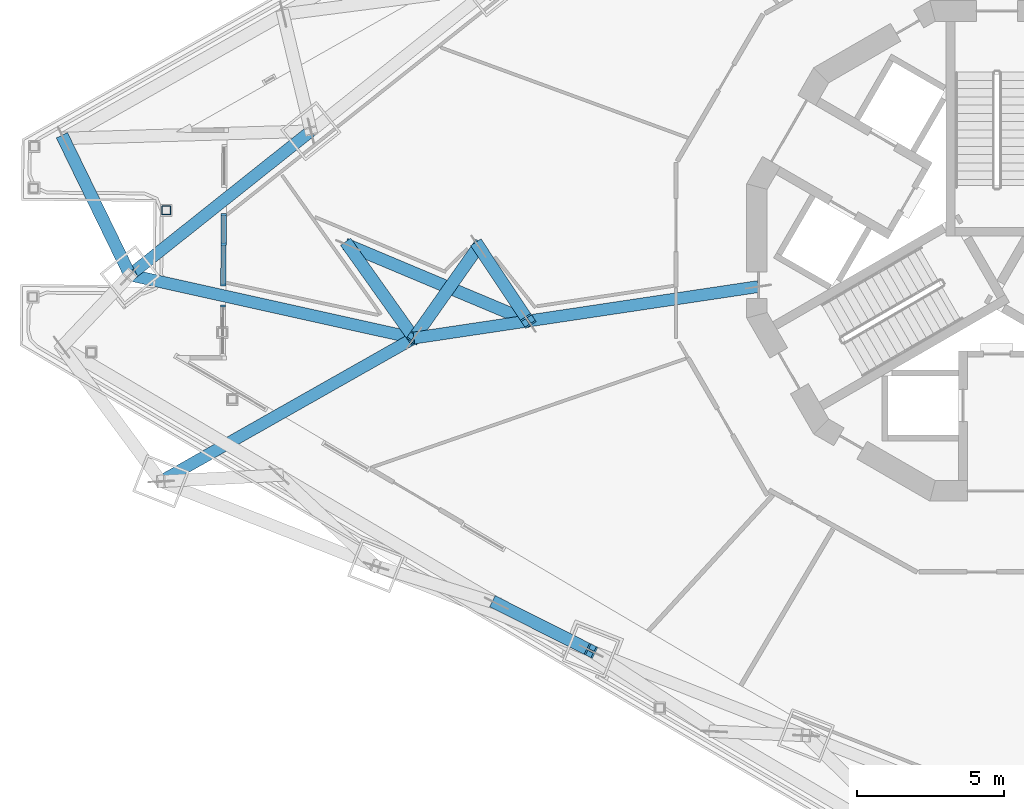
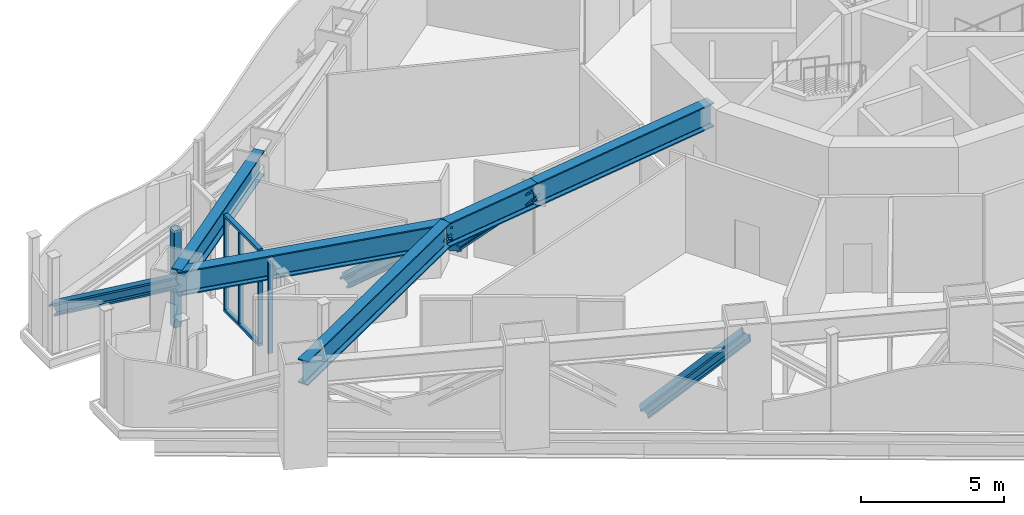
# One storey, part 2 of 27: 14 members, 4 beams, 2 elements without a shape of their own.
"""IFC4 building model written with IfcOpenShell, lengths in metres."""

from ifc_helpers import new_model, si_unit, direction, frame, origin, origin_2d, place, context, subcontext, project, spatial, rectangle, hollow_rectangle, i_section, extrude, material, layer, layer_set, material_profile, profile_set, type_object, element, aggregate, save


model = new_model("IFC4")

# Units and contexts
model_context = context("Model", 3, precision=1e-05, world=origin(), true_north=direction((0.0, 1.0)))
body_context = subcontext(model_context, "Body", "Model", "MODEL_VIEW")
ifc_project = project(units=[si_unit("LENGTHUNIT", "METRE"), si_unit("AREAUNIT", "SQUARE_METRE"), si_unit("VOLUMEUNIT", "CUBIC_METRE"), si_unit("PLANEANGLEUNIT", "RADIAN"), si_unit("MASSUNIT", "GRAM", prefix="KILO")], contexts=[model_context])

# Site, building, storey
site_placement = place(None, origin())
site = spatial("IfcSite", under=ifc_project, at=site_placement, CompositionType="ELEMENT")
building_placement = place(site_placement, origin())
building = spatial("IfcBuilding", under=site, at=building_placement, Name="Trine Commons Tower", CompositionType="ELEMENT")
storey_placement = place(building_placement, frame((0.0, 0.0, 193.5)))
storey = spatial("IfcBuildingStorey", under=building, at=storey_placement, Name="L50", CompositionType="ELEMENT", Elevation=193.5)

# Curtain wall, member
ifc_material_1 = material(Name="Sky lounge glazing: anodised aluminium frame with low-emissivity double glazed unit, solar control", Category="aluminium")
ifc_layer = layer(ifc_material_1, 0.179931640625)
ifc_layer_set = layer_set([ifc_layer], Name="Sky lounge glazing: anodised aluminium frame with low-emissivity double glazed unit, solar control")
curtain_wall_type = type_object("IfcCurtainWallType", Name="Sky lounge glazing curtain wall CW5", PredefinedType="NOTDEFINED", material=ifc_layer_set)
curtain_wall_1_placement = place(storey_placement, origin())
curtain_wall_1 = element("IfcCurtainWall", 1, at=curtain_wall_1_placement, inside=storey, type_object=curtain_wall_type, Name="Sky lounge glazing L50 P1.1", PredefinedType="NOTDEFINED")
ifc_material_2 = material(Name="Anodised aluminium, bronze finish", Category="aluminium")
ifc_material_profile_1 = material_profile(ifc_material_2, rectangle(XDim=0.179931640625, YDim=0.074951171875, at=origin_2d()), Name="Mullion 75x180")
ifc_profile_set_1 = profile_set([ifc_material_profile_1], Name="Anodised aluminium, bronze finish")
member_type_1 = type_object("IfcMemberType", Name="Mullion 75x180, Anodised aluminium, bronze finish", PredefinedType="MULLION", material=ifc_profile_set_1)
member_1_placement = place(storey_placement, frame((53.717529296875, 60.62548828125, 0.110107421875), z_axis=(0.0, 0.0, 1.0), x_axis=(-0.999961923064, 0.008726535498, 0.0)))
member_1 = element("IfcMember", 2, at=member_1_placement, type_object=member_type_1, Name="CW5 mullion 2.1", PredefinedType="MULLION", context=body_context, shape_type="SweptSolid", body=[
    extrude(rectangle(XDim=0.179931640625, YDim=0.074951171875, at=origin_2d()), origin(), (0.0, 0.0, 1.0), 3.929931640625),
])
aggregate(curtain_wall_1, [member_1])

# Curtain wall, members
curtain_wall_2_placement = place(storey_placement, origin())
curtain_wall_2 = element("IfcCurtainWall", 3, at=curtain_wall_2_placement, inside=storey, type_object=curtain_wall_type, Name="Sky lounge glazing L50 P1.2", PredefinedType="NOTDEFINED")
member_2_placement = place(storey_placement, frame((53.723876953125, 61.33984375, 0.110107421875), z_axis=(0.0, 0.0, 1.0), x_axis=(-0.999961923064, 0.008726535498, 0.0)))
member_2 = element("IfcMember", 4, at=member_2_placement, type_object=member_type_1, Name="CW5 mullion 1.1", PredefinedType="MULLION", context=body_context, shape_type="SweptSolid", body=[
    extrude(rectangle(XDim=0.179931640625, YDim=0.074951171875, at=origin_2d()), origin(), (0.0, 0.0, 1.0), 3.929931640625),
])
member_3_placement = place(storey_placement, frame((53.73583984375, 62.729248046875, 0.110107421875), z_axis=(0.0, 0.0, 1.0), x_axis=(-0.999961923064, 0.008726535498, 0.0)))
member_3 = element("IfcMember", 5, at=member_3_placement, type_object=member_type_1, Name="CW5 mullion 2.1", PredefinedType="MULLION", context=body_context, shape_type="SweptSolid", body=[
    extrude(rectangle(XDim=0.179931640625, YDim=0.074951171875, at=origin_2d()), origin(), (0.0, 0.0, 1.0), 3.929931640625),
])
member_4_placement = place(storey_placement, frame((53.74462890625, 63.73681640625, 0.110107421875), z_axis=(0.0, 0.0, 1.0), x_axis=(-0.999961923064, 0.008726535498, 0.0)))
member_4 = element("IfcMember", 6, at=member_4_placement, type_object=member_type_1, Name="CW5 mullion 3.1", PredefinedType="MULLION", context=body_context, shape_type="SweptSolid", body=[
    extrude(rectangle(XDim=0.179931640625, YDim=0.074951171875, at=origin_2d()), origin(), (0.0, 0.0, 1.0), 3.929931640625),
])

# Beams
ifc_material_3 = material(Name="Structural steel ASTM A992 Gr50", Category="steel")
ifc_material_profile_2 = material_profile(ifc_material_3, i_section(OverallWidth=0.406494140625, OverallDepth=1.02880859375, WebThickness=0.0283203125, FlangeThickness=0.051025390625, FilletRadius=0.02978515625, at=origin_2d()), Name="W40X362")
ifc_profile_set_2 = profile_set([ifc_material_profile_2], Name="Structural steel ASTM A992 Gr50")
beam_type = type_object("IfcBeamType", Name="Steel beam W40X362, ASTM A992 Gr50", PredefinedType="BEAM", material=ifc_profile_set_2)
beam_1_placement = place(storey_placement, frame((51.603515625, 54.67236328125, 3.635498046875), z_axis=(0.870179701496, 0.492734499609, 0.0), x_axis=(-0.492734499609, 0.870179701496, 0.0)))
element("IfcBeam", 7, at=beam_1_placement, inside=storey, type_object=beam_type, Name="Transfer truss girder T5-UV-01", PredefinedType="BEAM", context=body_context, shape_type="SweptSolid", body=[
    extrude(i_section(OverallWidth=0.406494140625, OverallDepth=1.02880859375, WebThickness=0.0283203125, FlangeThickness=0.051025390625, FilletRadius=0.02978515625, at=origin_2d()), origin(), (0.0, 0.0, 1.0), 9.880859375),
])
beam_2_placement = place(storey_placement, frame((50.5556640625, 61.683349609375, 3.635498046875), z_axis=(0.976213214501, -0.216812729872, 0.0), x_axis=(0.216812729872, 0.976213214501, 0.0)))
element("IfcBeam", 8, at=beam_2_placement, inside=storey, type_object=beam_type, Name="Transfer truss girder T5-UV-02", PredefinedType="BEAM", context=body_context, shape_type="SweptSolid", body=[
    extrude(i_section(OverallWidth=0.406494140625, OverallDepth=1.02880859375, WebThickness=0.0283203125, FlangeThickness=0.051025390625, FilletRadius=0.02978515625, at=origin_2d()), origin(), (0.0, 0.0, 1.0), 9.881103515625),
])
beam_3_placement = place(storey_placement, frame((71.8955078125, 61.288818359375, 3.635498046875), z_axis=(-0.98901397248, -0.14782206276, 0.0), x_axis=(0.14782206276, -0.98901397248, 0.0)))
element("IfcBeam", 9, at=beam_3_placement, inside=storey, type_object=beam_type, Name="Transfer truss girder T5-UR-05", PredefinedType="BEAM", context=body_context, shape_type="SweptSolid", body=[
    extrude(i_section(OverallWidth=0.406494140625, OverallDepth=1.02880859375, WebThickness=0.0283203125, FlangeThickness=0.051025390625, FilletRadius=0.02978515625, at=origin_2d()), origin(), (0.0, 0.0, 1.0), 7.8994140625),
])
beam_4_placement = place(storey_placement, frame((64.082763671875, 60.12109375, 3.635498046875), z_axis=(-0.9890142496, -0.147820208659, 0.0), x_axis=(0.147820208659, -0.9890142496, 0.0)))
element("IfcBeam", 10, at=beam_4_placement, inside=storey, type_object=beam_type, Name="Transfer truss girder T5-UR-06", PredefinedType="BEAM", context=body_context, shape_type="SweptSolid", body=[
    extrude(i_section(OverallWidth=0.406494140625, OverallDepth=1.02880859375, WebThickness=0.0283203125, FlangeThickness=0.051025390625, FilletRadius=0.02978515625, at=origin_2d()), origin(), (0.0, 0.0, 1.0), 3.92431640625),
])

# Members
ifc_material_profile_3 = material_profile(ifc_material_3, i_section(OverallWidth=0.42236328125, OverallDepth=0.46337890625, WebThickness=0.044921875, FlangeThickness=0.072509765625, FilletRadius=0.014892578125, at=origin_2d()), Name="W14X398")
ifc_profile_set_3 = profile_set([ifc_material_profile_3], Name="Structural steel ASTM A992 Gr50")
member_type_2 = type_object("IfcMemberType", Name="Steel brace W14X398, ASTM A992 Gr50", PredefinedType="BRACE", material=ifc_profile_set_3)
member_5_placement = place(storey_placement, frame((63.00390625, 50.53271484375, 0.474609375), z_axis=(0.670538681326, -0.337540018033, 0.660639548522), x_axis=(0.449631745742, 0.893214024308, 0.0)))
element("IfcMember", 11, at=member_5_placement, inside=storey, type_object=member_type_2, Name="Transfer truss brace T5-DG-09", PredefinedType="BRACE", context=body_context, shape_type="SweptSolid", body=[
    extrude(i_section(OverallWidth=0.42236328125, OverallDepth=0.46337890625, WebThickness=0.044921875, FlangeThickness=0.072509765625, FilletRadius=0.014892578125, at=origin_2d()), origin(), (0.0, 0.0, 1.0), 4.78466796875),
])
member_6_placement = place(storey_placement, frame((48.29638671875, 66.3212890625, 0.474609375), z_axis=(0.373416246932, -0.76656456051, 0.522435719584), x_axis=(0.899007545327, 0.437933138099, 0.0)))
element("IfcMember", 12, at=member_6_placement, inside=storey, type_object=member_type_2, Name="Transfer truss brace T5-DG-16", PredefinedType="BRACE", context=body_context, shape_type="SweptSolid", body=[
    extrude(i_section(OverallWidth=0.42236328125, OverallDepth=0.46337890625, WebThickness=0.044921875, FlangeThickness=0.072509765625, FilletRadius=0.014892578125, at=origin_2d()), origin(), (0.0, 0.0, 1.0), 6.05029296875),
])
member_7_placement = place(storey_placement, frame((62.39501953125, 62.653564453125, 0.474609375), z_axis=(0.384641567102, -0.57715709179, 0.720375288481), x_axis=(0.832136676533, 0.554570601068, 0.0)))
element("IfcMember", 13, at=member_7_placement, inside=storey, type_object=member_type_2, Name="Transfer truss brace T5-DG-51", PredefinedType="BRACE", context=body_context, shape_type="SweptSolid", body=[
    extrude(i_section(OverallWidth=0.42236328125, OverallDepth=0.46337890625, WebThickness=0.044921875, FlangeThickness=0.072509765625, FilletRadius=0.014892578125, at=origin_2d()), origin(), (0.0, 0.0, 1.0), 4.387939453125),
])
member_8_placement = place(storey_placement, frame((57.962890625, 62.6923828125, 0.474609375), z_axis=(0.83238089591, -0.349728152381, 0.429921229479), x_axis=(0.387353159159, 0.921931412899, 0.0)))
element("IfcMember", 14, at=member_8_placement, inside=storey, type_object=member_type_2, Name="Transfer truss brace T5-DG-52", PredefinedType="BRACE", context=body_context, shape_type="SweptSolid", body=[
    extrude(i_section(OverallWidth=0.42236328125, OverallDepth=0.46337890625, WebThickness=0.044921875, FlangeThickness=0.072509765625, FilletRadius=0.014892578125, at=origin_2d()), origin(), (0.0, 0.0, 1.0), 7.352294921875),
])
member_9_placement = place(storey_placement, frame((62.39501953125, 62.653564453125, 0.474609375), z_axis=(-0.443215947329, -0.62895816034, 0.638726276722), x_axis=(0.81742959999, -0.576028514104, 0.0)))
element("IfcMember", 15, at=member_9_placement, inside=storey, type_object=member_type_2, Name="Transfer truss brace T5-DG-53", PredefinedType="BRACE", context=body_context, shape_type="SweptSolid", body=[
    extrude(i_section(OverallWidth=0.42236328125, OverallDepth=0.46337890625, WebThickness=0.044921875, FlangeThickness=0.072509765625, FilletRadius=0.014892578125, at=origin_2d()), origin(), (0.0, 0.0, 1.0), 4.94873046875),
])
member_10_placement = place(storey_placement, frame((57.962890625, 62.6923828125, 0.474609375), z_axis=(0.448342325976, -0.631101716871, 0.633008516294), x_axis=(0.815224350999, 0.579145281892, 0.0)))
element("IfcMember", 16, at=member_10_placement, inside=storey, type_object=member_type_2, Name="Transfer truss brace T5-DG-54", PredefinedType="BRACE", context=body_context, shape_type="SweptSolid", body=[
    extrude(i_section(OverallWidth=0.42236328125, OverallDepth=0.46337890625, WebThickness=0.044921875, FlangeThickness=0.072509765625, FilletRadius=0.014892578125, at=origin_2d()), origin(), (0.0, 0.0, 1.0), 4.993408203125),
])
ifc_material_profile_4 = material_profile(ifc_material_3, i_section(OverallWidth=0.406494140625, OverallDepth=1.02880859375, WebThickness=0.0283203125, FlangeThickness=0.051025390625, FilletRadius=0.02978515625, at=origin_2d()), Name="W40X362")
ifc_profile_set_4 = profile_set([ifc_material_profile_4], Name="Structural steel ASTM A992 Gr50")
member_type_3 = type_object("IfcMemberType", Name="Steel chord W40X362, ASTM A992 Gr50", PredefinedType="CHORD", material=ifc_profile_set_4)
member_11_placement = place(storey_placement, frame((50.5556640625, 61.683349609375, 3.635498046875), z_axis=(0.782595200411, 0.622530924769, 0.0), x_axis=(-0.622530924769, 0.782595200411, 0.0)))
element("IfcMember", 17, at=member_11_placement, inside=storey, type_object=member_type_3, Name="Transfer truss chord T5-UC-07", PredefinedType="CHORD", context=body_context, shape_type="SweptSolid", body=[
    extrude(i_section(OverallWidth=0.406494140625, OverallDepth=1.02880859375, WebThickness=0.0283203125, FlangeThickness=0.051025390625, FilletRadius=0.02978515625, at=origin_2d()), origin(), (0.0, 0.0, 1.0), 7.8505859375),
])
ifc_material_4 = material(Name="Structural steel ASTM A500 Gr C", Category="steel")
ifc_material_profile_5 = material_profile(ifc_material_4, hollow_rectangle(XDim=0.3046875, YDim=0.3046875, WallThickness=0.014892578125, InnerFilletRadius=0.00732421875, OuterFilletRadius=0.022216796875, at=origin_2d()), Name="HSS12X12X5/8")
ifc_profile_set_5 = profile_set([ifc_material_profile_5], Name="Structural steel ASTM A500 Gr C")
member_type_4 = type_object("IfcMemberType", Name="Steel post HSS12X12X5/8, ASTM A500 Gr C", PredefinedType="POST", material=ifc_profile_set_5)
member_12_placement = place(storey_placement, frame((51.785888671875, 63.875732421875, 0.0), z_axis=(0.0, 0.0, 1.0), x_axis=(1.0, 0.0, 0.0)))
element("IfcMember", 18, at=member_12_placement, inside=storey, type_object=member_type_4, Name="Roof post SP5-23", PredefinedType="POST", context=body_context, shape_type="SweptSolid", body=[
    extrude(hollow_rectangle(XDim=0.3046875, YDim=0.3046875, WallThickness=0.014892578125, InnerFilletRadius=0.00732421875, OuterFilletRadius=0.022216796875, at=origin_2d()), origin(), (0.0, 0.0, 1.0), 4.14990234375),
])

# Member
ifc_material_profile_6 = material_profile(ifc_material_2, rectangle(XDim=0.179931640625, YDim=0.110107421875, at=origin_2d()), Name="Transom 110x180")
ifc_profile_set_6 = profile_set([ifc_material_profile_6], Name="Anodised aluminium, bronze finish")
member_type_5 = type_object("IfcMemberType", Name="Transom 110x180, Anodised aluminium, bronze finish", PredefinedType="USERDEFINED", material=ifc_profile_set_6)
member_13_placement = place(storey_placement, frame((53.723388671875, 61.30224609375, 0.054931640625), z_axis=(0.008788915912, 0.999961376733, 0.0), x_axis=(-0.999961376733, 0.008788915912, 0.0)))
member_13 = element("IfcMember", 19, at=member_13_placement, type_object=member_type_5, Name="CW5 transom T00", ObjectType="TRANSOM", PredefinedType="USERDEFINED", context=body_context, shape_type="SweptSolid", body=[
    extrude(rectangle(XDim=0.179931640625, YDim=0.110107421875, at=origin_2d()), origin(), (0.0, 0.0, 1.0), 2.47216796875),
])

member_14_placement = place(storey_placement, frame((53.723388671875, 61.30224609375, 4.094970703125), z_axis=(0.008788915912, 0.999961376733, 0.0), x_axis=(-0.999961376733, 0.008788915912, 0.0)))
member_14 = element("IfcMember", 20, at=member_14_placement, type_object=member_type_5, Name="CW5 transom TH00", ObjectType="TRANSOM", PredefinedType="USERDEFINED", context=body_context, shape_type="SweptSolid", body=[
    extrude(rectangle(XDim=0.179931640625, YDim=0.110107421875, at=origin_2d()), origin(), (0.0, 0.0, 1.0), 2.47216796875),
])

aggregate(curtain_wall_2, [member_13, member_14, member_2, member_3, member_4])

save(model, "model.ifc")
